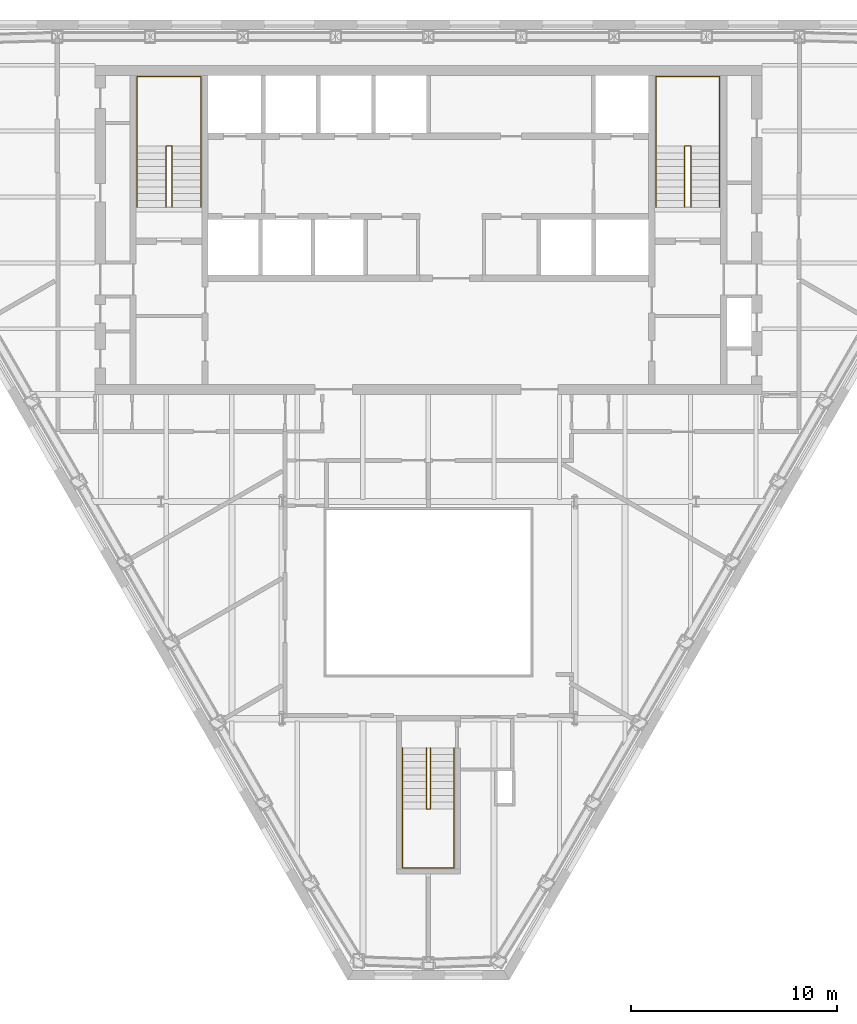
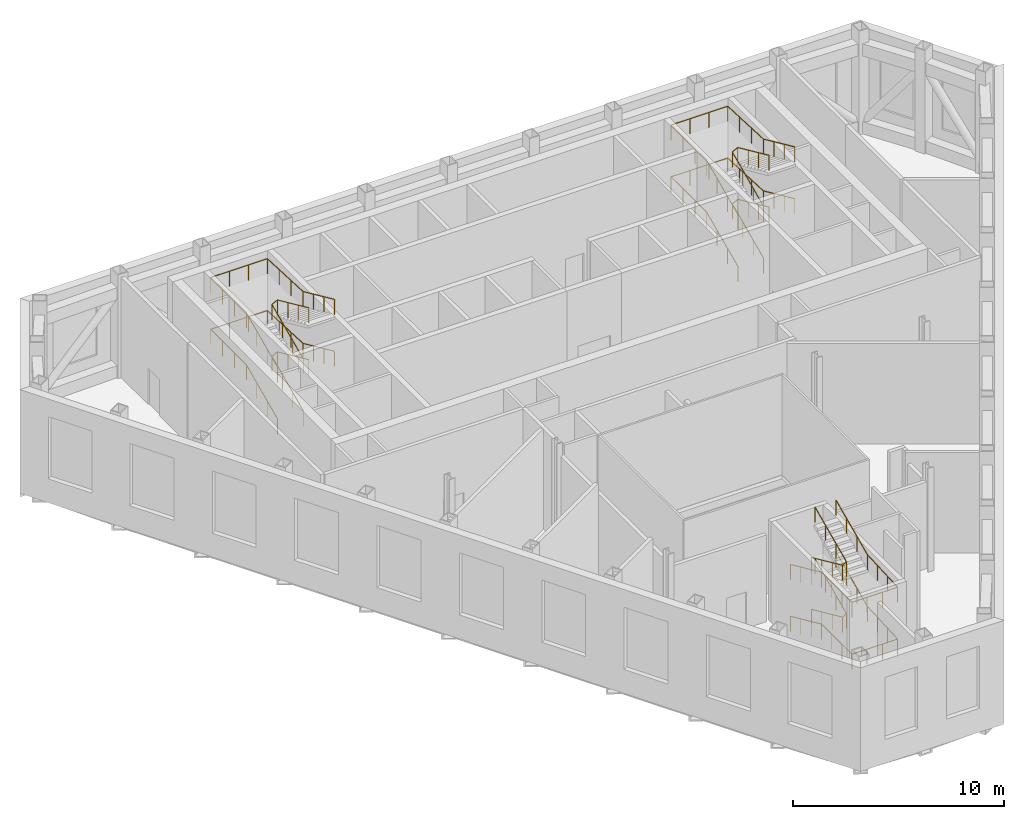
# One storey, part 13 of 13: 12 railings.
"""IFC4 building model written with IfcOpenShell, lengths in metres."""

import ifcopenshell
import ifcopenshell.guid

model = None  # the IFC model being written
_history = None  # IfcOwnerHistory: only IFC2X3 demands one
_inside = {}  # id of a spatial element -> (the spatial element, [elements in it])
_under = {}  # id of a project, library or spatial element -> (it, [spatial elements below it])
_declared = {}  # id of a project -> (the project, [libraries it declares])
_typed = {}  # id of a type object -> (the type object, [elements of that type])
_made_of = {}  # id of a material, layer set ... -> (it, [elements and type objects made of it])


def new_model(schema):
    """Start an empty IFC model of exactly this schema.

    Asked for "IFC4X3", IfcOpenShell would pick the latest addendum, in which some entities
    have other attributes; the version numbers below select the first issue.
    IFC2X3 requires an IfcOwnerHistory on every rooted entity: one is made here for all.
    """
    global model, _history
    if schema == "IFC4X3":
        model = ifcopenshell.file(schema_version=(4, 3, 0, 0))
    else:
        model = ifcopenshell.file(schema=schema)
    _inside.clear()
    _under.clear()
    _declared.clear()
    _typed.clear()
    _made_of.clear()
    _history = None
    if model.schema == "IFC2X3":
        org = make("IfcOrganization", Name="unknown")
        user = make(
            "IfcPersonAndOrganization",
            ThePerson=make("IfcPerson", FamilyName="unknown"),
            TheOrganization=org,
        )
        app = make(
            "IfcApplication",
            ApplicationDeveloper=org,
            Version="unknown",
            ApplicationFullName="unknown",
            ApplicationIdentifier="unknown",
        )
        _history = make(
            "IfcOwnerHistory",
            OwningUser=user,
            OwningApplication=app,
            ChangeAction="ADDED",
            CreationDate=0,
        )
    return model


def make(cls, **values):
    """One entity of the class cls with the attributes given. An attribute that is None is left unset."""
    return model.create_entity(
        cls, **{name: value for name, value in values.items() if value is not None}
    )


def rooted(cls, **values):
    """An entity with a GlobalId (a new one), such as an element, a storey or a relation."""
    return make(cls, GlobalId=ifcopenshell.guid.new(), OwnerHistory=_history, **values)


def si_unit(unit_type, name, prefix=None):
    """IfcSIUnit, for example si_unit("LENGTHUNIT", "METRE", prefix="MILLI")."""
    return make("IfcSIUnit", UnitType=unit_type, Prefix=prefix, Name=name)


def assignment(units):
    """IfcUnitAssignment: the units of a project."""
    return None if units is None else make("IfcUnitAssignment", Units=units)


def point(xyz):
    """IfcCartesianPoint."""
    return None if xyz is None else make("IfcCartesianPoint", Coordinates=xyz)


def direction(xyz):
    """IfcDirection."""
    return None if xyz is None else make("IfcDirection", DirectionRatios=xyz)


def frame(location, z_axis=None, x_axis=None):
    """IfcAxis2Placement3D, a coordinate frame: its origin and axes. An axis left out is left unset."""
    return make(
        "IfcAxis2Placement3D",
        Location=point(location),
        Axis=direction(z_axis),
        RefDirection=direction(x_axis),
    )


def frame_2d(location, x_axis=None):
    """IfcAxis2Placement2D, a coordinate frame in the plane: its origin and x axis."""
    return make(
        "IfcAxis2Placement2D", Location=point(location), RefDirection=direction(x_axis)
    )


def origin():
    """The frame at (0, 0, 0) with its axes left unset."""
    return frame((0.0, 0.0, 0.0))


def origin_2d():
    """The frame at (0, 0) in the plane with its x axis left unset."""
    return frame_2d((0.0, 0.0))


def place(relative_to, where):
    """IfcLocalPlacement: puts the frame where relative to a parent placement (None: the world)."""
    return make(
        "IfcLocalPlacement", PlacementRelTo=relative_to, RelativePlacement=where
    )


def context(
    kind, dimensions, precision=None, world=None, true_north=None, identifier=None
):
    """IfcGeometricRepresentationContext, for example the 3D "Model" context."""
    return make(
        "IfcGeometricRepresentationContext",
        ContextIdentifier=identifier,
        ContextType=kind,
        CoordinateSpaceDimension=dimensions,
        Precision=precision,
        WorldCoordinateSystem=world,
        TrueNorth=true_north,
    )


def subcontext(parent, identifier, kind, view, scale=None):
    """IfcGeometricRepresentationSubContext, for example "Body" below "Model"."""
    return make(
        "IfcGeometricRepresentationSubContext",
        ContextIdentifier=identifier,
        ContextType=kind,
        ParentContext=parent,
        TargetScale=scale,
        TargetView=view,
    )


def project(units=None, contexts=None):
    """IfcProject with its units and contexts."""
    return rooted(
        "IfcProject",
        Name="project",
        RepresentationContexts=contexts,
        UnitsInContext=assignment(units),
    )


def spatial(cls, under=None, at=None, **own):
    """A site, building, storey or space (cls), placed at a placement, below another one or the project."""
    s = rooted(cls, ObjectPlacement=at, **own)
    if under is not None:
        _under.setdefault(under.id(), (under, []))[1].append(s)
    return s


def profile(cls, at=None, kind="AREA", **sizes):
    """A parametric profile (cls). Its sizes go by their IFC names, for example OverallWidth=200.0."""
    return make(cls, ProfileType=kind, Position=at, **sizes)


def circle(**sizes):
    """IfcCircleProfileDef."""
    return profile("IfcCircleProfileDef", **sizes)


def extrude(swept, where, along, depth):
    """IfcExtrudedAreaSolid: the profile swept, set in the frame where, extruded along a direction by depth."""
    return make(
        "IfcExtrudedAreaSolid",
        SweptArea=swept,
        Position=where,
        ExtrudedDirection=direction(along),
        Depth=depth,
    )


def shape(context_of_items, identifier, shape_type, items):
    """IfcShapeRepresentation: the items that make up one representation, for example the "Body"."""
    return make(
        "IfcShapeRepresentation",
        ContextOfItems=context_of_items,
        RepresentationIdentifier=identifier,
        RepresentationType=shape_type,
        Items=items,
    )


def material(Name=None, Category=None):
    """IfcMaterial."""
    return make("IfcMaterial", Name=Name, Category=Category)


def made_of(thing, what):
    """Note that an element or type object is made of a material, layer set ...; save() writes the relation."""
    if what is not None:
        _made_of.setdefault(what.id(), (what, []))[1].append(thing)
    return thing


def type_object(cls, material=None, **own):
    """A type object (cls), such as IfcWallType, which elements share."""
    return made_of(rooted(cls, **own), material)


def element(
    cls,
    number,
    at=None,
    inside=None,
    cuts=None,
    type_object=None,
    material=None,
    context=None,
    identifier="Body",
    shape_type=None,
    held_by="IfcProductDefinitionShape",
    body=None,
    shapes=None,
    **own,
):
    """One element of the class cls, such as IfcWall. Its Tag is "e" and its number.

    at: its placement. inside: the storey or other place that contains it. cuts: it is an
    opening in that element (IfcRelVoidsElement). A single representation is given by context,
    identifier, shape_type and body (its items); several are given by shapes. held_by: the class
    of the entity that holds the representations. save() writes the other relations.
    """
    e = rooted(cls, Tag="e%d" % number, ObjectPlacement=at, **own)
    if body is not None:
        shapes = [shape(context, identifier, shape_type, body)]
    if shapes is not None:
        e.Representation = make(held_by, Representations=shapes)
    if inside is not None:
        _inside.setdefault(inside.id(), (inside, []))[1].append(e)
    if cuts is not None:
        rooted(
            "IfcRelVoidsElement", RelatingBuildingElement=cuts, RelatedOpeningElement=e
        )
    if type_object is not None:
        _typed.setdefault(type_object.id(), (type_object, []))[1].append(e)
    return made_of(e, material)


def aggregate(whole, parts):
    """IfcRelAggregates: a whole, such as a stair, and the parts it consists of."""
    return rooted("IfcRelAggregates", RelatingObject=whole, RelatedObjects=parts)


def save(model, path):
    """Write the relations noted so far, then the file.

    IfcRelAggregates (storeys below a building ...), IfcRelContainedInSpatialStructure (elements
    in a storey), IfcRelDefinesByType, IfcRelAssociatesMaterial and IfcRelDeclares: one each for
    every whole, place, type object, material and project.
    """
    for whole, parts in _under.values():
        aggregate(whole, parts)
    for where, things in _inside.values():
        rooted(
            "IfcRelContainedInSpatialStructure",
            RelatedElements=things,
            RelatingStructure=where,
        )
    for kind, things in _typed.values():
        rooted("IfcRelDefinesByType", RelatedObjects=things, RelatingType=kind)
    for what, things in _made_of.values():
        rooted("IfcRelAssociatesMaterial", RelatedObjects=things, RelatingMaterial=what)
    for by, libraries in _declared.values():
        rooted("IfcRelDeclares", RelatingContext=by, RelatedDefinitions=libraries)
    model.write(path)


model = new_model("IFC4")

# Units and contexts
model_context = context("Model", 3, precision=1e-05, world=origin(), true_north=direction((0.0, 1.0)))
body_context = subcontext(model_context, "Body", "Model", "MODEL_VIEW")
ifc_project = project(units=[si_unit("LENGTHUNIT", "METRE"), si_unit("AREAUNIT", "SQUARE_METRE"), si_unit("VOLUMEUNIT", "CUBIC_METRE"), si_unit("PLANEANGLEUNIT", "RADIAN"), si_unit("MASSUNIT", "GRAM", prefix="KILO")], contexts=[model_context])

# Site, building, storey
site_placement = place(None, origin())
site = spatial("IfcSite", under=ifc_project, at=site_placement, CompositionType="ELEMENT")
building_placement = place(site_placement, origin())
building = spatial("IfcBuilding", under=site, at=building_placement, Name="Njiva Tower", CompositionType="ELEMENT")
storey_placement = place(building_placement, frame((0.0, 0.0, 186.6)))
storey = spatial("IfcBuildingStorey", under=building, at=storey_placement, Name="L41", CompositionType="ELEMENT", Elevation=186.6)

# Railings
ifc_material = material(Name="Stainless steel", Category="steel")
railing_type = type_object("IfcRailingType", Name="RL1 Stair handrail 900", PredefinedType="HANDRAIL", material=ifc_material)
railing_1_placement = place(storey_placement, frame((-14.15, 11.1, 0.15)))
element("IfcRailing", 1, at=railing_1_placement, inside=storey, type_object=railing_type, Name="Stair A handrail", PredefinedType="HANDRAIL", context=body_context, shape_type="SweptSolid", body=[
    extrude(circle(Radius=0.024, at=origin_2d()), frame((0.0, 0.0, 0.876), z_axis=(0.0, 0.910366477463, 0.413802944301), x_axis=(-1.0, 0.0, 0.0)), (0.0, 0.0, 1.0), 3.2624),
    extrude(circle(Radius=0.024, at=origin_2d()), frame((0.0, 2.97, 2.226), z_axis=(0.0, 1.0, 0.0), x_axis=(-1.0, 0.0, 0.0)), (0.0, 0.0, 1.0), 3.38),
    extrude(circle(Radius=0.024, at=origin_2d()), frame((0.0, 6.35, 2.226), z_axis=(1.0, 0.0, 0.0), x_axis=(0.0, 1.0, 0.0)), (0.0, 0.0, 1.0), 3.1),
    extrude(circle(Radius=0.024, at=origin_2d()), frame((3.1, 6.35, 2.226), z_axis=(0.0, -0.999016717742, 0.044335061438), x_axis=(1.0, 0.0, 0.0)), (0.0, 0.0, 1.0), 3.3833),
    extrude(circle(Radius=0.024, at=origin_2d()), frame((3.1, 2.97, 2.376), z_axis=(0.0, -0.910366477463, 0.413802944301), x_axis=(1.0, 0.0, 0.0)), (0.0, 0.0, 1.0), 3.2624),
    extrude(circle(Radius=0.021, at=origin_2d()), origin(), (0.0, 0.0, 1.0), 0.852),
    extrude(circle(Radius=0.021, at=origin_2d()), frame((0.0, 0.99, 0.45)), (0.0, 0.0, 1.0), 0.852),
    extrude(circle(Radius=0.021, at=origin_2d()), frame((0.0, 1.98, 0.9)), (0.0, 0.0, 1.0), 0.852),
    extrude(circle(Radius=0.021, at=origin_2d()), frame((0.0, 2.97, 1.35)), (0.0, 0.0, 1.0), 0.852),
    extrude(circle(Radius=0.021, at=origin_2d()), frame((0.0, 4.0967, 1.35)), (0.0, 0.0, 1.0), 0.852),
    extrude(circle(Radius=0.021, at=origin_2d()), frame((0.0, 5.2233, 1.35)), (0.0, 0.0, 1.0), 0.852),
    extrude(circle(Radius=0.021, at=origin_2d()), frame((0.0, 6.35, 1.35)), (0.0, 0.0, 1.0), 0.852),
    extrude(circle(Radius=0.021, at=origin_2d()), frame((1.0333, 6.35, 1.35)), (0.0, 0.0, 1.0), 0.852),
    extrude(circle(Radius=0.021, at=origin_2d()), frame((2.0667, 6.35, 1.35)), (0.0, 0.0, 1.0), 0.852),
    extrude(circle(Radius=0.021, at=origin_2d()), frame((3.1, 6.35, 1.35)), (0.0, 0.0, 1.0), 0.852),
    extrude(circle(Radius=0.021, at=origin_2d()), frame((3.1, 5.2233, 1.4)), (0.0, 0.0, 1.0), 0.852),
    extrude(circle(Radius=0.021, at=origin_2d()), frame((3.1, 4.0967, 1.45)), (0.0, 0.0, 1.0), 0.852),
    extrude(circle(Radius=0.021, at=origin_2d()), frame((3.1, 2.97, 1.5)), (0.0, 0.0, 1.0), 0.852),
    extrude(circle(Radius=0.021, at=origin_2d()), frame((3.1, 1.98, 1.95)), (0.0, 0.0, 1.0), 0.852),
    extrude(circle(Radius=0.021, at=origin_2d()), frame((3.1, 0.99, 2.4)), (0.0, 0.0, 1.0), 0.852),
    extrude(circle(Radius=0.021, at=origin_2d()), frame((3.1, 0.0, 2.85)), (0.0, 0.0, 1.0), 0.852),
])
railing_2_placement = place(storey_placement, frame((-12.75, 11.1, 0.15)))
element("IfcRailing", 2, at=railing_2_placement, inside=storey, type_object=railing_type, Name="Stair A handrail", PredefinedType="HANDRAIL", context=body_context, shape_type="SweptSolid", body=[
    extrude(circle(Radius=0.024, at=origin_2d()), frame((0.0, 0.0, 0.876), z_axis=(0.0, 0.910366477463, 0.413802944301), x_axis=(-1.0, 0.0, 0.0)), (0.0, 0.0, 1.0), 3.2624),
    extrude(circle(Radius=0.024, at=origin_2d()), frame((0.0, 2.97, 2.226), z_axis=(0.894427191, 0.0, 0.4472135955), x_axis=(0.0, 1.0, 0.0)), (0.0, 0.0, 1.0), 0.3354),
    extrude(circle(Radius=0.024, at=origin_2d()), frame((0.3, 2.97, 2.376), z_axis=(0.0, -0.910366477463, 0.413802944301), x_axis=(1.0, 0.0, 0.0)), (0.0, 0.0, 1.0), 3.2624),
    extrude(circle(Radius=0.021, at=origin_2d()), origin(), (0.0, 0.0, 1.0), 0.852),
    extrude(circle(Radius=0.021, at=origin_2d()), frame((0.0, 0.99, 0.45)), (0.0, 0.0, 1.0), 0.852),
    extrude(circle(Radius=0.021, at=origin_2d()), frame((0.0, 1.98, 0.9)), (0.0, 0.0, 1.0), 0.852),
    extrude(circle(Radius=0.021, at=origin_2d()), frame((0.0, 2.97, 1.35)), (0.0, 0.0, 1.0), 0.852),
    extrude(circle(Radius=0.021, at=origin_2d()), frame((0.3, 2.97, 1.5)), (0.0, 0.0, 1.0), 0.852),
    extrude(circle(Radius=0.021, at=origin_2d()), frame((0.3, 1.98, 1.95)), (0.0, 0.0, 1.0), 0.852),
    extrude(circle(Radius=0.021, at=origin_2d()), frame((0.3, 0.99, 2.4)), (0.0, 0.0, 1.0), 0.852),
    extrude(circle(Radius=0.021, at=origin_2d()), frame((0.3, 0.0, 2.85)), (0.0, 0.0, 1.0), 0.852),
])
railing_3_placement = place(storey_placement, frame((-14.15, 11.1, 3.15)))
element("IfcRailing", 3, at=railing_3_placement, inside=storey, type_object=railing_type, Name="Stair A handrail", PredefinedType="HANDRAIL", context=body_context, shape_type="SweptSolid", body=[
    extrude(circle(Radius=0.024, at=origin_2d()), frame((0.0, 0.0, 0.876), z_axis=(0.0, 0.910366477463, 0.413802944301), x_axis=(-1.0, 0.0, 0.0)), (0.0, 0.0, 1.0), 3.2624),
    extrude(circle(Radius=0.024, at=origin_2d()), frame((0.0, 2.97, 2.226), z_axis=(0.0, 1.0, 0.0), x_axis=(-1.0, 0.0, 0.0)), (0.0, 0.0, 1.0), 3.38),
    extrude(circle(Radius=0.024, at=origin_2d()), frame((0.0, 6.35, 2.226), z_axis=(1.0, 0.0, 0.0), x_axis=(0.0, 1.0, 0.0)), (0.0, 0.0, 1.0), 3.1),
    extrude(circle(Radius=0.024, at=origin_2d()), frame((3.1, 6.35, 2.226), z_axis=(0.0, -0.999016717742, 0.044335061438), x_axis=(1.0, 0.0, 0.0)), (0.0, 0.0, 1.0), 3.3833),
    extrude(circle(Radius=0.024, at=origin_2d()), frame((3.1, 2.97, 2.376), z_axis=(0.0, -0.910366477463, 0.413802944301), x_axis=(1.0, 0.0, 0.0)), (0.0, 0.0, 1.0), 3.2624),
    extrude(circle(Radius=0.021, at=origin_2d()), origin(), (0.0, 0.0, 1.0), 0.852),
    extrude(circle(Radius=0.021, at=origin_2d()), frame((0.0, 0.99, 0.45)), (0.0, 0.0, 1.0), 0.852),
    extrude(circle(Radius=0.021, at=origin_2d()), frame((0.0, 1.98, 0.9)), (0.0, 0.0, 1.0), 0.852),
    extrude(circle(Radius=0.021, at=origin_2d()), frame((0.0, 2.97, 1.35)), (0.0, 0.0, 1.0), 0.852),
    extrude(circle(Radius=0.021, at=origin_2d()), frame((0.0, 4.0967, 1.35)), (0.0, 0.0, 1.0), 0.852),
    extrude(circle(Radius=0.021, at=origin_2d()), frame((0.0, 5.2233, 1.35)), (0.0, 0.0, 1.0), 0.852),
    extrude(circle(Radius=0.021, at=origin_2d()), frame((0.0, 6.35, 1.35)), (0.0, 0.0, 1.0), 0.852),
    extrude(circle(Radius=0.021, at=origin_2d()), frame((1.0333, 6.35, 1.35)), (0.0, 0.0, 1.0), 0.852),
    extrude(circle(Radius=0.021, at=origin_2d()), frame((2.0667, 6.35, 1.35)), (0.0, 0.0, 1.0), 0.852),
    extrude(circle(Radius=0.021, at=origin_2d()), frame((3.1, 6.35, 1.35)), (0.0, 0.0, 1.0), 0.852),
    extrude(circle(Radius=0.021, at=origin_2d()), frame((3.1, 5.2233, 1.4)), (0.0, 0.0, 1.0), 0.852),
    extrude(circle(Radius=0.021, at=origin_2d()), frame((3.1, 4.0967, 1.45)), (0.0, 0.0, 1.0), 0.852),
    extrude(circle(Radius=0.021, at=origin_2d()), frame((3.1, 2.97, 1.5)), (0.0, 0.0, 1.0), 0.852),
    extrude(circle(Radius=0.021, at=origin_2d()), frame((3.1, 1.98, 1.95)), (0.0, 0.0, 1.0), 0.852),
    extrude(circle(Radius=0.021, at=origin_2d()), frame((3.1, 0.99, 2.4)), (0.0, 0.0, 1.0), 0.852),
    extrude(circle(Radius=0.021, at=origin_2d()), frame((3.1, 0.0, 2.85)), (0.0, 0.0, 1.0), 0.852),
])
railing_4_placement = place(storey_placement, frame((-12.75, 11.1, 3.15)))
element("IfcRailing", 4, at=railing_4_placement, inside=storey, type_object=railing_type, Name="Stair A handrail", PredefinedType="HANDRAIL", context=body_context, shape_type="SweptSolid", body=[
    extrude(circle(Radius=0.024, at=origin_2d()), frame((0.0, 0.0, 0.876), z_axis=(0.0, 0.910366477463, 0.413802944301), x_axis=(-1.0, 0.0, 0.0)), (0.0, 0.0, 1.0), 3.2624),
    extrude(circle(Radius=0.024, at=origin_2d()), frame((0.0, 2.97, 2.226), z_axis=(0.894427191, 0.0, 0.4472135955), x_axis=(0.0, 1.0, 0.0)), (0.0, 0.0, 1.0), 0.3354),
    extrude(circle(Radius=0.024, at=origin_2d()), frame((0.3, 2.97, 2.376), z_axis=(0.0, -0.910366477463, 0.413802944301), x_axis=(1.0, 0.0, 0.0)), (0.0, 0.0, 1.0), 3.2624),
    extrude(circle(Radius=0.021, at=origin_2d()), origin(), (0.0, 0.0, 1.0), 0.852),
    extrude(circle(Radius=0.021, at=origin_2d()), frame((0.0, 0.99, 0.45)), (0.0, 0.0, 1.0), 0.852),
    extrude(circle(Radius=0.021, at=origin_2d()), frame((0.0, 1.98, 0.9)), (0.0, 0.0, 1.0), 0.852),
    extrude(circle(Radius=0.021, at=origin_2d()), frame((0.0, 2.97, 1.35)), (0.0, 0.0, 1.0), 0.852),
    extrude(circle(Radius=0.021, at=origin_2d()), frame((0.3, 2.97, 1.5)), (0.0, 0.0, 1.0), 0.852),
    extrude(circle(Radius=0.021, at=origin_2d()), frame((0.3, 1.98, 1.95)), (0.0, 0.0, 1.0), 0.852),
    extrude(circle(Radius=0.021, at=origin_2d()), frame((0.3, 0.99, 2.4)), (0.0, 0.0, 1.0), 0.852),
    extrude(circle(Radius=0.021, at=origin_2d()), frame((0.3, 0.0, 2.85)), (0.0, 0.0, 1.0), 0.852),
])
railing_5_placement = place(storey_placement, frame((11.05, 11.1, 0.15)))
element("IfcRailing", 5, at=railing_5_placement, inside=storey, type_object=railing_type, Name="Stair B handrail", PredefinedType="HANDRAIL", context=body_context, shape_type="SweptSolid", body=[
    extrude(circle(Radius=0.024, at=origin_2d()), frame((0.0, 0.0, 0.876), z_axis=(0.0, 0.910366477463, 0.413802944301), x_axis=(-1.0, 0.0, 0.0)), (0.0, 0.0, 1.0), 3.2624),
    extrude(circle(Radius=0.024, at=origin_2d()), frame((0.0, 2.97, 2.226), z_axis=(0.0, 1.0, 0.0), x_axis=(-1.0, 0.0, 0.0)), (0.0, 0.0, 1.0), 3.38),
    extrude(circle(Radius=0.024, at=origin_2d()), frame((0.0, 6.35, 2.226), z_axis=(1.0, 0.0, 0.0), x_axis=(0.0, 1.0, 0.0)), (0.0, 0.0, 1.0), 3.1),
    extrude(circle(Radius=0.024, at=origin_2d()), frame((3.1, 6.35, 2.226), z_axis=(0.0, -0.999016717742, 0.044335061438), x_axis=(1.0, 0.0, 0.0)), (0.0, 0.0, 1.0), 3.3833),
    extrude(circle(Radius=0.024, at=origin_2d()), frame((3.1, 2.97, 2.376), z_axis=(0.0, -0.910366477463, 0.413802944301), x_axis=(1.0, 0.0, 0.0)), (0.0, 0.0, 1.0), 3.2624),
    extrude(circle(Radius=0.021, at=origin_2d()), origin(), (0.0, 0.0, 1.0), 0.852),
    extrude(circle(Radius=0.021, at=origin_2d()), frame((0.0, 0.99, 0.45)), (0.0, 0.0, 1.0), 0.852),
    extrude(circle(Radius=0.021, at=origin_2d()), frame((0.0, 1.98, 0.9)), (0.0, 0.0, 1.0), 0.852),
    extrude(circle(Radius=0.021, at=origin_2d()), frame((0.0, 2.97, 1.35)), (0.0, 0.0, 1.0), 0.852),
    extrude(circle(Radius=0.021, at=origin_2d()), frame((0.0, 4.0967, 1.35)), (0.0, 0.0, 1.0), 0.852),
    extrude(circle(Radius=0.021, at=origin_2d()), frame((0.0, 5.2233, 1.35)), (0.0, 0.0, 1.0), 0.852),
    extrude(circle(Radius=0.021, at=origin_2d()), frame((0.0, 6.35, 1.35)), (0.0, 0.0, 1.0), 0.852),
    extrude(circle(Radius=0.021, at=origin_2d()), frame((1.0333, 6.35, 1.35)), (0.0, 0.0, 1.0), 0.852),
    extrude(circle(Radius=0.021, at=origin_2d()), frame((2.0667, 6.35, 1.35)), (0.0, 0.0, 1.0), 0.852),
    extrude(circle(Radius=0.021, at=origin_2d()), frame((3.1, 6.35, 1.35)), (0.0, 0.0, 1.0), 0.852),
    extrude(circle(Radius=0.021, at=origin_2d()), frame((3.1, 5.2233, 1.4)), (0.0, 0.0, 1.0), 0.852),
    extrude(circle(Radius=0.021, at=origin_2d()), frame((3.1, 4.0967, 1.45)), (0.0, 0.0, 1.0), 0.852),
    extrude(circle(Radius=0.021, at=origin_2d()), frame((3.1, 2.97, 1.5)), (0.0, 0.0, 1.0), 0.852),
    extrude(circle(Radius=0.021, at=origin_2d()), frame((3.1, 1.98, 1.95)), (0.0, 0.0, 1.0), 0.852),
    extrude(circle(Radius=0.021, at=origin_2d()), frame((3.1, 0.99, 2.4)), (0.0, 0.0, 1.0), 0.852),
    extrude(circle(Radius=0.021, at=origin_2d()), frame((3.1, 0.0, 2.85)), (0.0, 0.0, 1.0), 0.852),
])
railing_6_placement = place(storey_placement, frame((12.45, 11.1, 0.15)))
element("IfcRailing", 6, at=railing_6_placement, inside=storey, type_object=railing_type, Name="Stair B handrail", PredefinedType="HANDRAIL", context=body_context, shape_type="SweptSolid", body=[
    extrude(circle(Radius=0.024, at=origin_2d()), frame((0.0, 0.0, 0.876), z_axis=(0.0, 0.910366477463, 0.413802944301), x_axis=(-1.0, 0.0, 0.0)), (0.0, 0.0, 1.0), 3.2624),
    extrude(circle(Radius=0.024, at=origin_2d()), frame((0.0, 2.97, 2.226), z_axis=(0.894427191, 0.0, 0.4472135955), x_axis=(0.0, 1.0, 0.0)), (0.0, 0.0, 1.0), 0.3354),
    extrude(circle(Radius=0.024, at=origin_2d()), frame((0.3, 2.97, 2.376), z_axis=(0.0, -0.910366477463, 0.413802944301), x_axis=(1.0, 0.0, 0.0)), (0.0, 0.0, 1.0), 3.2624),
    extrude(circle(Radius=0.021, at=origin_2d()), origin(), (0.0, 0.0, 1.0), 0.852),
    extrude(circle(Radius=0.021, at=origin_2d()), frame((0.0, 0.99, 0.45)), (0.0, 0.0, 1.0), 0.852),
    extrude(circle(Radius=0.021, at=origin_2d()), frame((0.0, 1.98, 0.9)), (0.0, 0.0, 1.0), 0.852),
    extrude(circle(Radius=0.021, at=origin_2d()), frame((0.0, 2.97, 1.35)), (0.0, 0.0, 1.0), 0.852),
    extrude(circle(Radius=0.021, at=origin_2d()), frame((0.3, 2.97, 1.5)), (0.0, 0.0, 1.0), 0.852),
    extrude(circle(Radius=0.021, at=origin_2d()), frame((0.3, 1.98, 1.95)), (0.0, 0.0, 1.0), 0.852),
    extrude(circle(Radius=0.021, at=origin_2d()), frame((0.3, 0.99, 2.4)), (0.0, 0.0, 1.0), 0.852),
    extrude(circle(Radius=0.021, at=origin_2d()), frame((0.3, 0.0, 2.85)), (0.0, 0.0, 1.0), 0.852),
])
railing_7_placement = place(storey_placement, frame((11.05, 11.1, 3.15)))
element("IfcRailing", 7, at=railing_7_placement, inside=storey, type_object=railing_type, Name="Stair B handrail", PredefinedType="HANDRAIL", context=body_context, shape_type="SweptSolid", body=[
    extrude(circle(Radius=0.024, at=origin_2d()), frame((0.0, 0.0, 0.876), z_axis=(0.0, 0.910366477463, 0.413802944301), x_axis=(-1.0, 0.0, 0.0)), (0.0, 0.0, 1.0), 3.2624),
    extrude(circle(Radius=0.024, at=origin_2d()), frame((0.0, 2.97, 2.226), z_axis=(0.0, 1.0, 0.0), x_axis=(-1.0, 0.0, 0.0)), (0.0, 0.0, 1.0), 3.38),
    extrude(circle(Radius=0.024, at=origin_2d()), frame((0.0, 6.35, 2.226), z_axis=(1.0, 0.0, 0.0), x_axis=(0.0, 1.0, 0.0)), (0.0, 0.0, 1.0), 3.1),
    extrude(circle(Radius=0.024, at=origin_2d()), frame((3.1, 6.35, 2.226), z_axis=(0.0, -0.999016717742, 0.044335061438), x_axis=(1.0, 0.0, 0.0)), (0.0, 0.0, 1.0), 3.3833),
    extrude(circle(Radius=0.024, at=origin_2d()), frame((3.1, 2.97, 2.376), z_axis=(0.0, -0.910366477463, 0.413802944301), x_axis=(1.0, 0.0, 0.0)), (0.0, 0.0, 1.0), 3.2624),
    extrude(circle(Radius=0.021, at=origin_2d()), origin(), (0.0, 0.0, 1.0), 0.852),
    extrude(circle(Radius=0.021, at=origin_2d()), frame((0.0, 0.99, 0.45)), (0.0, 0.0, 1.0), 0.852),
    extrude(circle(Radius=0.021, at=origin_2d()), frame((0.0, 1.98, 0.9)), (0.0, 0.0, 1.0), 0.852),
    extrude(circle(Radius=0.021, at=origin_2d()), frame((0.0, 2.97, 1.35)), (0.0, 0.0, 1.0), 0.852),
    extrude(circle(Radius=0.021, at=origin_2d()), frame((0.0, 4.0967, 1.35)), (0.0, 0.0, 1.0), 0.852),
    extrude(circle(Radius=0.021, at=origin_2d()), frame((0.0, 5.2233, 1.35)), (0.0, 0.0, 1.0), 0.852),
    extrude(circle(Radius=0.021, at=origin_2d()), frame((0.0, 6.35, 1.35)), (0.0, 0.0, 1.0), 0.852),
    extrude(circle(Radius=0.021, at=origin_2d()), frame((1.0333, 6.35, 1.35)), (0.0, 0.0, 1.0), 0.852),
    extrude(circle(Radius=0.021, at=origin_2d()), frame((2.0667, 6.35, 1.35)), (0.0, 0.0, 1.0), 0.852),
    extrude(circle(Radius=0.021, at=origin_2d()), frame((3.1, 6.35, 1.35)), (0.0, 0.0, 1.0), 0.852),
    extrude(circle(Radius=0.021, at=origin_2d()), frame((3.1, 5.2233, 1.4)), (0.0, 0.0, 1.0), 0.852),
    extrude(circle(Radius=0.021, at=origin_2d()), frame((3.1, 4.0967, 1.45)), (0.0, 0.0, 1.0), 0.852),
    extrude(circle(Radius=0.021, at=origin_2d()), frame((3.1, 2.97, 1.5)), (0.0, 0.0, 1.0), 0.852),
    extrude(circle(Radius=0.021, at=origin_2d()), frame((3.1, 1.98, 1.95)), (0.0, 0.0, 1.0), 0.852),
    extrude(circle(Radius=0.021, at=origin_2d()), frame((3.1, 0.99, 2.4)), (0.0, 0.0, 1.0), 0.852),
    extrude(circle(Radius=0.021, at=origin_2d()), frame((3.1, 0.0, 2.85)), (0.0, 0.0, 1.0), 0.852),
])
railing_8_placement = place(storey_placement, frame((12.45, 11.1, 3.15)))
element("IfcRailing", 8, at=railing_8_placement, inside=storey, type_object=railing_type, Name="Stair B handrail", PredefinedType="HANDRAIL", context=body_context, shape_type="SweptSolid", body=[
    extrude(circle(Radius=0.024, at=origin_2d()), frame((0.0, 0.0, 0.876), z_axis=(0.0, 0.910366477463, 0.413802944301), x_axis=(-1.0, 0.0, 0.0)), (0.0, 0.0, 1.0), 3.2624),
    extrude(circle(Radius=0.024, at=origin_2d()), frame((0.0, 2.97, 2.226), z_axis=(0.894427191, 0.0, 0.4472135955), x_axis=(0.0, 1.0, 0.0)), (0.0, 0.0, 1.0), 0.3354),
    extrude(circle(Radius=0.024, at=origin_2d()), frame((0.3, 2.97, 2.376), z_axis=(0.0, -0.910366477463, 0.413802944301), x_axis=(1.0, 0.0, 0.0)), (0.0, 0.0, 1.0), 3.2624),
    extrude(circle(Radius=0.021, at=origin_2d()), origin(), (0.0, 0.0, 1.0), 0.852),
    extrude(circle(Radius=0.021, at=origin_2d()), frame((0.0, 0.99, 0.45)), (0.0, 0.0, 1.0), 0.852),
    extrude(circle(Radius=0.021, at=origin_2d()), frame((0.0, 1.98, 0.9)), (0.0, 0.0, 1.0), 0.852),
    extrude(circle(Radius=0.021, at=origin_2d()), frame((0.0, 2.97, 1.35)), (0.0, 0.0, 1.0), 0.852),
    extrude(circle(Radius=0.021, at=origin_2d()), frame((0.3, 2.97, 1.5)), (0.0, 0.0, 1.0), 0.852),
    extrude(circle(Radius=0.021, at=origin_2d()), frame((0.3, 1.98, 1.95)), (0.0, 0.0, 1.0), 0.852),
    extrude(circle(Radius=0.021, at=origin_2d()), frame((0.3, 0.99, 2.4)), (0.0, 0.0, 1.0), 0.852),
    extrude(circle(Radius=0.021, at=origin_2d()), frame((0.3, 0.0, 2.85)), (0.0, 0.0, 1.0), 0.852),
])
railing_9_placement = place(storey_placement, frame((-1.25, -15.16, 0.15)))
element("IfcRailing", 9, at=railing_9_placement, inside=storey, type_object=railing_type, Name="Stair C handrail", PredefinedType="HANDRAIL", context=body_context, shape_type="SweptSolid", body=[
    extrude(circle(Radius=0.024, at=origin_2d()), frame((0.0, 0.0, 0.876), z_axis=(0.0, -0.910366477463, 0.413802944301), x_axis=(1.0, 0.0, 0.0)), (0.0, 0.0, 1.0), 3.2624),
    extrude(circle(Radius=0.024, at=origin_2d()), frame((0.0, -2.97, 2.226), z_axis=(0.0, -1.0, 0.0), x_axis=(1.0, 0.0, 0.0)), (0.0, 0.0, 1.0), 2.87),
    extrude(circle(Radius=0.024, at=origin_2d()), frame((0.0, -5.84, 2.226), z_axis=(1.0, 0.0, 0.0), x_axis=(0.0, 1.0, 0.0)), (0.0, 0.0, 1.0), 2.5),
    extrude(circle(Radius=0.024, at=origin_2d()), frame((2.5, -5.84, 2.226), z_axis=(0.0, 0.998636986684, 0.052193570733), x_axis=(-1.0, 0.0, 0.0)), (0.0, 0.0, 1.0), 2.8739),
    extrude(circle(Radius=0.024, at=origin_2d()), frame((2.5, -2.97, 2.376), z_axis=(0.0, 0.910366477463, 0.413802944301), x_axis=(-1.0, 0.0, 0.0)), (0.0, 0.0, 1.0), 3.2624),
    extrude(circle(Radius=0.021, at=origin_2d()), origin(), (0.0, 0.0, 1.0), 0.852),
    extrude(circle(Radius=0.021, at=origin_2d()), frame((0.0, -0.99, 0.45)), (0.0, 0.0, 1.0), 0.852),
    extrude(circle(Radius=0.021, at=origin_2d()), frame((0.0, -1.98, 0.9)), (0.0, 0.0, 1.0), 0.852),
    extrude(circle(Radius=0.021, at=origin_2d()), frame((0.0, -2.97, 1.35)), (0.0, 0.0, 1.0), 0.852),
    extrude(circle(Radius=0.021, at=origin_2d()), frame((0.0, -3.9267, 1.35)), (0.0, 0.0, 1.0), 0.852),
    extrude(circle(Radius=0.021, at=origin_2d()), frame((0.0, -4.8833, 1.35)), (0.0, 0.0, 1.0), 0.852),
    extrude(circle(Radius=0.021, at=origin_2d()), frame((0.0, -5.84, 1.35)), (0.0, 0.0, 1.0), 0.852),
    extrude(circle(Radius=0.021, at=origin_2d()), frame((0.8333, -5.84, 1.35)), (0.0, 0.0, 1.0), 0.852),
    extrude(circle(Radius=0.021, at=origin_2d()), frame((1.6667, -5.84, 1.35)), (0.0, 0.0, 1.0), 0.852),
    extrude(circle(Radius=0.021, at=origin_2d()), frame((2.5, -5.84, 1.35)), (0.0, 0.0, 1.0), 0.852),
    extrude(circle(Radius=0.021, at=origin_2d()), frame((2.5, -4.8833, 1.4)), (0.0, 0.0, 1.0), 0.852),
    extrude(circle(Radius=0.021, at=origin_2d()), frame((2.5, -3.9267, 1.45)), (0.0, 0.0, 1.0), 0.852),
    extrude(circle(Radius=0.021, at=origin_2d()), frame((2.5, -2.97, 1.5)), (0.0, 0.0, 1.0), 0.852),
    extrude(circle(Radius=0.021, at=origin_2d()), frame((2.5, -1.98, 1.95)), (0.0, 0.0, 1.0), 0.852),
    extrude(circle(Radius=0.021, at=origin_2d()), frame((2.5, -0.99, 2.4)), (0.0, 0.0, 1.0), 0.852),
    extrude(circle(Radius=0.021, at=origin_2d()), frame((2.5, 0.0, 2.85)), (0.0, 0.0, 1.0), 0.852),
])
railing_10_placement = place(storey_placement, frame((-0.1, -15.16, 0.15)))
element("IfcRailing", 10, at=railing_10_placement, inside=storey, type_object=railing_type, Name="Stair C handrail", PredefinedType="HANDRAIL", context=body_context, shape_type="SweptSolid", body=[
    extrude(circle(Radius=0.024, at=origin_2d()), frame((0.0, 0.0, 0.876), z_axis=(0.0, -0.910366477463, 0.413802944301), x_axis=(1.0, 0.0, 0.0)), (0.0, 0.0, 1.0), 3.2624),
    extrude(circle(Radius=0.024, at=origin_2d()), frame((0.0, -2.97, 2.226), z_axis=(0.8, 0.0, 0.6), x_axis=(0.0, 1.0, 0.0)), (0.0, 0.0, 1.0), 0.25),
    extrude(circle(Radius=0.024, at=origin_2d()), frame((0.2, -2.97, 2.376), z_axis=(0.0, 0.910366477463, 0.413802944301), x_axis=(-1.0, 0.0, 0.0)), (0.0, 0.0, 1.0), 3.2624),
    extrude(circle(Radius=0.021, at=origin_2d()), origin(), (0.0, 0.0, 1.0), 0.852),
    extrude(circle(Radius=0.021, at=origin_2d()), frame((0.0, -0.99, 0.45)), (0.0, 0.0, 1.0), 0.852),
    extrude(circle(Radius=0.021, at=origin_2d()), frame((0.0, -1.98, 0.9)), (0.0, 0.0, 1.0), 0.852),
    extrude(circle(Radius=0.021, at=origin_2d()), frame((0.0, -2.97, 1.35)), (0.0, 0.0, 1.0), 0.852),
    extrude(circle(Radius=0.021, at=origin_2d()), frame((0.2, -2.97, 1.5)), (0.0, 0.0, 1.0), 0.852),
    extrude(circle(Radius=0.021, at=origin_2d()), frame((0.2, -1.98, 1.95)), (0.0, 0.0, 1.0), 0.852),
    extrude(circle(Radius=0.021, at=origin_2d()), frame((0.2, -0.99, 2.4)), (0.0, 0.0, 1.0), 0.852),
    extrude(circle(Radius=0.021, at=origin_2d()), frame((0.2, 0.0, 2.85)), (0.0, 0.0, 1.0), 0.852),
])
railing_11_placement = place(storey_placement, frame((-1.25, -15.16, 3.15)))
element("IfcRailing", 11, at=railing_11_placement, inside=storey, type_object=railing_type, Name="Stair C handrail", PredefinedType="HANDRAIL", context=body_context, shape_type="SweptSolid", body=[
    extrude(circle(Radius=0.024, at=origin_2d()), frame((0.0, 0.0, 0.876), z_axis=(0.0, -0.910366477463, 0.413802944301), x_axis=(1.0, 0.0, 0.0)), (0.0, 0.0, 1.0), 3.2624),
    extrude(circle(Radius=0.024, at=origin_2d()), frame((0.0, -2.97, 2.226), z_axis=(0.0, -1.0, 0.0), x_axis=(1.0, 0.0, 0.0)), (0.0, 0.0, 1.0), 2.87),
    extrude(circle(Radius=0.024, at=origin_2d()), frame((0.0, -5.84, 2.226), z_axis=(1.0, 0.0, 0.0), x_axis=(0.0, 1.0, 0.0)), (0.0, 0.0, 1.0), 2.5),
    extrude(circle(Radius=0.024, at=origin_2d()), frame((2.5, -5.84, 2.226), z_axis=(0.0, 0.998636986684, 0.052193570733), x_axis=(-1.0, 0.0, 0.0)), (0.0, 0.0, 1.0), 2.8739),
    extrude(circle(Radius=0.024, at=origin_2d()), frame((2.5, -2.97, 2.376), z_axis=(0.0, 0.910366477463, 0.413802944301), x_axis=(-1.0, 0.0, 0.0)), (0.0, 0.0, 1.0), 3.2624),
    extrude(circle(Radius=0.021, at=origin_2d()), origin(), (0.0, 0.0, 1.0), 0.852),
    extrude(circle(Radius=0.021, at=origin_2d()), frame((0.0, -0.99, 0.45)), (0.0, 0.0, 1.0), 0.852),
    extrude(circle(Radius=0.021, at=origin_2d()), frame((0.0, -1.98, 0.9)), (0.0, 0.0, 1.0), 0.852),
    extrude(circle(Radius=0.021, at=origin_2d()), frame((0.0, -2.97, 1.35)), (0.0, 0.0, 1.0), 0.852),
    extrude(circle(Radius=0.021, at=origin_2d()), frame((0.0, -3.9267, 1.35)), (0.0, 0.0, 1.0), 0.852),
    extrude(circle(Radius=0.021, at=origin_2d()), frame((0.0, -4.8833, 1.35)), (0.0, 0.0, 1.0), 0.852),
    extrude(circle(Radius=0.021, at=origin_2d()), frame((0.0, -5.84, 1.35)), (0.0, 0.0, 1.0), 0.852),
    extrude(circle(Radius=0.021, at=origin_2d()), frame((0.8333, -5.84, 1.35)), (0.0, 0.0, 1.0), 0.852),
    extrude(circle(Radius=0.021, at=origin_2d()), frame((1.6667, -5.84, 1.35)), (0.0, 0.0, 1.0), 0.852),
    extrude(circle(Radius=0.021, at=origin_2d()), frame((2.5, -5.84, 1.35)), (0.0, 0.0, 1.0), 0.852),
    extrude(circle(Radius=0.021, at=origin_2d()), frame((2.5, -4.8833, 1.4)), (0.0, 0.0, 1.0), 0.852),
    extrude(circle(Radius=0.021, at=origin_2d()), frame((2.5, -3.9267, 1.45)), (0.0, 0.0, 1.0), 0.852),
    extrude(circle(Radius=0.021, at=origin_2d()), frame((2.5, -2.97, 1.5)), (0.0, 0.0, 1.0), 0.852),
    extrude(circle(Radius=0.021, at=origin_2d()), frame((2.5, -1.98, 1.95)), (0.0, 0.0, 1.0), 0.852),
    extrude(circle(Radius=0.021, at=origin_2d()), frame((2.5, -0.99, 2.4)), (0.0, 0.0, 1.0), 0.852),
    extrude(circle(Radius=0.021, at=origin_2d()), frame((2.5, 0.0, 2.85)), (0.0, 0.0, 1.0), 0.852),
])
railing_12_placement = place(storey_placement, frame((-0.1, -15.16, 3.15)))
element("IfcRailing", 12, at=railing_12_placement, inside=storey, type_object=railing_type, Name="Stair C handrail", PredefinedType="HANDRAIL", context=body_context, shape_type="SweptSolid", body=[
    extrude(circle(Radius=0.024, at=origin_2d()), frame((0.0, 0.0, 0.876), z_axis=(0.0, -0.910366477463, 0.413802944301), x_axis=(1.0, 0.0, 0.0)), (0.0, 0.0, 1.0), 3.2624),
    extrude(circle(Radius=0.024, at=origin_2d()), frame((0.0, -2.97, 2.226), z_axis=(0.8, 0.0, 0.6), x_axis=(0.0, 1.0, 0.0)), (0.0, 0.0, 1.0), 0.25),
    extrude(circle(Radius=0.024, at=origin_2d()), frame((0.2, -2.97, 2.376), z_axis=(0.0, 0.910366477463, 0.413802944301), x_axis=(-1.0, 0.0, 0.0)), (0.0, 0.0, 1.0), 3.2624),
    extrude(circle(Radius=0.021, at=origin_2d()), origin(), (0.0, 0.0, 1.0), 0.852),
    extrude(circle(Radius=0.021, at=origin_2d()), frame((0.0, -0.99, 0.45)), (0.0, 0.0, 1.0), 0.852),
    extrude(circle(Radius=0.021, at=origin_2d()), frame((0.0, -1.98, 0.9)), (0.0, 0.0, 1.0), 0.852),
    extrude(circle(Radius=0.021, at=origin_2d()), frame((0.0, -2.97, 1.35)), (0.0, 0.0, 1.0), 0.852),
    extrude(circle(Radius=0.021, at=origin_2d()), frame((0.2, -2.97, 1.5)), (0.0, 0.0, 1.0), 0.852),
    extrude(circle(Radius=0.021, at=origin_2d()), frame((0.2, -1.98, 1.95)), (0.0, 0.0, 1.0), 0.852),
    extrude(circle(Radius=0.021, at=origin_2d()), frame((0.2, -0.99, 2.4)), (0.0, 0.0, 1.0), 0.852),
    extrude(circle(Radius=0.021, at=origin_2d()), frame((0.2, 0.0, 2.85)), (0.0, 0.0, 1.0), 0.852),
])

save(model, "model.ifc")
